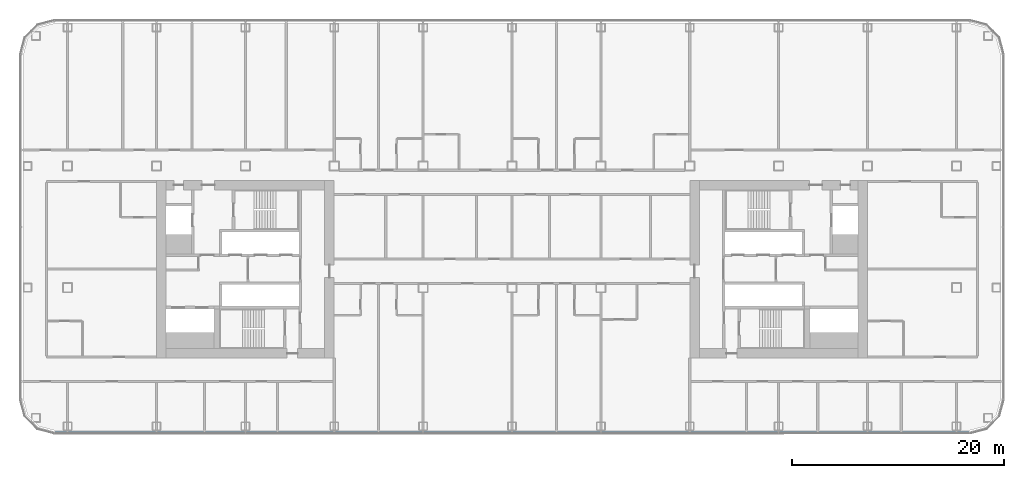
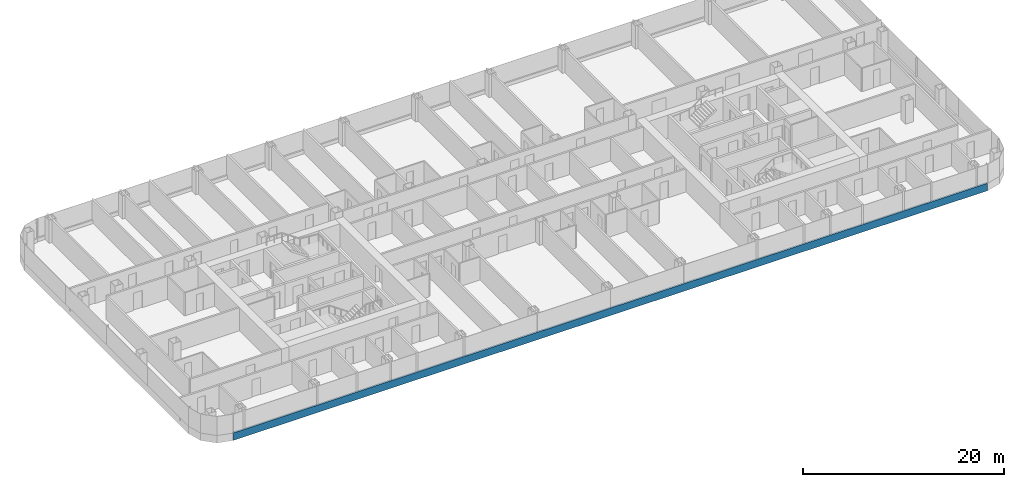
# One storey, part 5 of 29: 1 member, 1 element without a shape of its own.
"""IFC4 building model written with IfcOpenShell, lengths in metres."""

from ifc_helpers import new_model, si_unit, direction, frame, origin, origin_2d, place, context, subcontext, project, spatial, rectangle, extrude, material, layer, layer_set, material_profile, profile_set, type_object, element, aggregate, save


model = new_model("IFC4")

# Units and contexts
model_context = context("Model", 3, precision=1e-05, world=origin(), true_north=direction((0.0, 1.0)))
body_context = subcontext(model_context, "Body", "Model", "MODEL_VIEW")
ifc_project = project(units=[si_unit("LENGTHUNIT", "METRE"), si_unit("AREAUNIT", "SQUARE_METRE"), si_unit("VOLUMEUNIT", "CUBIC_METRE"), si_unit("PLANEANGLEUNIT", "RADIAN"), si_unit("MASSUNIT", "GRAM", prefix="KILO")], contexts=[model_context])

# Site, building, storey
site_placement = place(None, origin())
site = spatial("IfcSite", under=ifc_project, at=site_placement, CompositionType="ELEMENT")
building_placement = place(site_placement, origin())
building = spatial("IfcBuilding", under=site, at=building_placement, Name="Hakoniwa Tower and Hamabe Station Hall", CompositionType="ELEMENT")
storey_placement = place(building_placement, frame((0.0, 0.0, 101.0)))
storey = spatial("IfcBuildingStorey", under=building, at=storey_placement, Name="L28", CompositionType="ELEMENT", Elevation=101.0)

# Curtain wall, member
ifc_material_1 = material(Name="Dark low-e laminated glass", Category="glass")
ifc_layer = layer(ifc_material_1, 0.199951171875)
ifc_layer_set = layer_set([ifc_layer], Name="CW-1 UNITISED GUEST")
curtain_wall_type = type_object("IfcCurtainWallType", Name="CW-1 UNITISED GUEST", PredefinedType="NOTDEFINED", material=ifc_layer_set)
curtain_wall_placement = place(storey_placement, origin())
curtain_wall = element("IfcCurtainWall", 1, at=curtain_wall_placement, inside=storey, type_object=curtain_wall_type, Name="CW-1 curtain wall", PredefinedType="NOTDEFINED")
ifc_material_2 = material(Name="Aluminium 6063-T5 black anodised", Category="aluminium")
ifc_material_profile = material_profile(ifc_material_2, rectangle(XDim=0.199951171875, YDim=0.89990234375, at=origin_2d()), Name="CW SLAB-EDGE BAND 900X200")
ifc_profile_set = profile_set([ifc_material_profile], Name="Aluminium 6063-T5 black anodised")
member_type = type_object("IfcMemberType", Name="CW SLAB-EDGE BAND 900X200", PredefinedType="USERDEFINED", material=ifc_profile_set)
member_placement = place(storey_placement, frame((-43.239501953125, -15.449951171875, -0.10009765625), z_axis=(1.0, 0.0, 0.0), x_axis=(0.0, 1.0, 0.0)))
member = element("IfcMember", 2, at=member_placement, type_object=member_type, Name="CW-1 transom", ObjectType="TRANSOM", PredefinedType="USERDEFINED", context=body_context, shape_type="SweptSolid", body=[
    extrude(rectangle(XDim=0.199951171875, YDim=0.89990234375, at=origin_2d()), origin(), (0.0, 0.0, 1.0), 86.47900390625),
])
aggregate(curtain_wall, [member])

save(model, "model.ifc")
